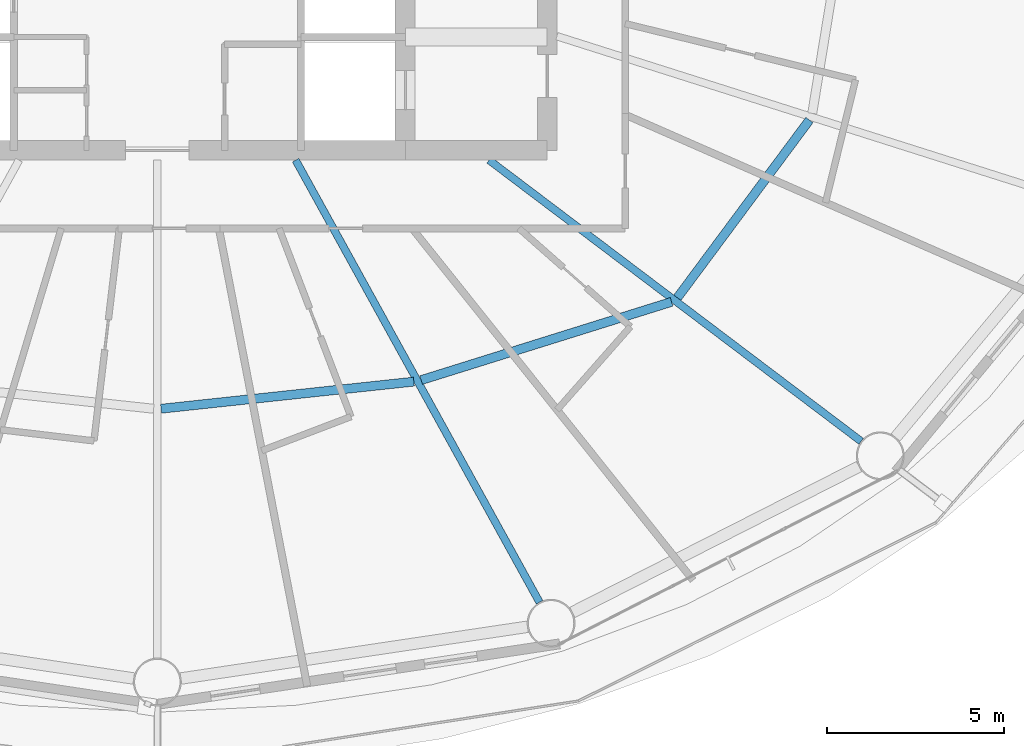
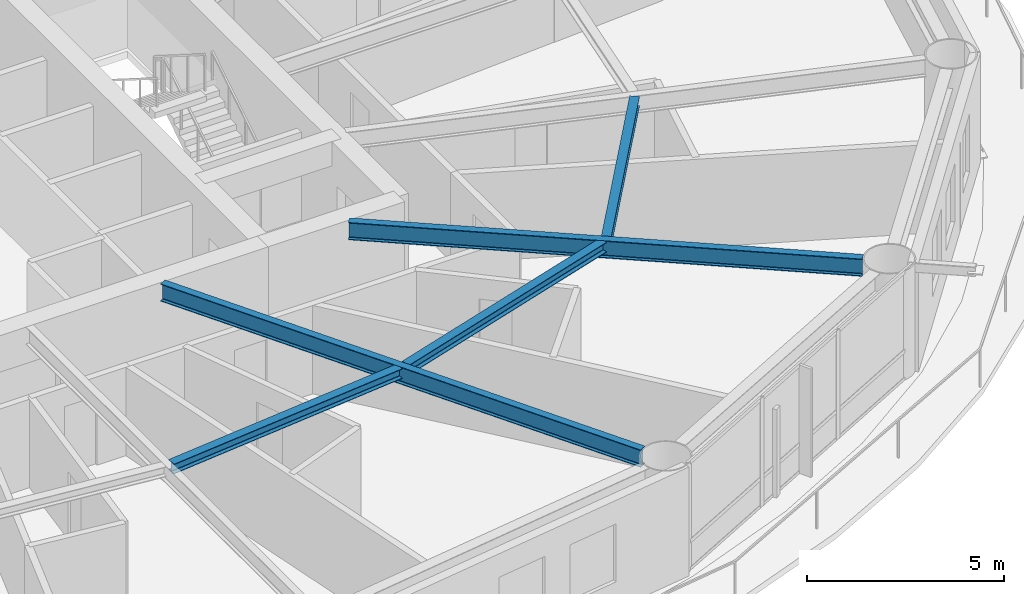
# One storey, part 5 of 24: 5 beams.
"""IFC4 building model written with IfcOpenShell, lengths in metres."""

import ifcopenshell
import ifcopenshell.guid

model = None  # the IFC model being written
_history = None  # IfcOwnerHistory: only IFC2X3 demands one
_inside = {}  # id of a spatial element -> (the spatial element, [elements in it])
_under = {}  # id of a project, library or spatial element -> (it, [spatial elements below it])
_declared = {}  # id of a project -> (the project, [libraries it declares])
_typed = {}  # id of a type object -> (the type object, [elements of that type])
_made_of = {}  # id of a material, layer set ... -> (it, [elements and type objects made of it])


def new_model(schema):
    """Start an empty IFC model of exactly this schema.

    Asked for "IFC4X3", IfcOpenShell would pick the latest addendum, in which some entities
    have other attributes; the version numbers below select the first issue.
    IFC2X3 requires an IfcOwnerHistory on every rooted entity: one is made here for all.
    """
    global model, _history
    if schema == "IFC4X3":
        model = ifcopenshell.file(schema_version=(4, 3, 0, 0))
    else:
        model = ifcopenshell.file(schema=schema)
    _inside.clear()
    _under.clear()
    _declared.clear()
    _typed.clear()
    _made_of.clear()
    _history = None
    if model.schema == "IFC2X3":
        org = make("IfcOrganization", Name="unknown")
        user = make(
            "IfcPersonAndOrganization",
            ThePerson=make("IfcPerson", FamilyName="unknown"),
            TheOrganization=org,
        )
        app = make(
            "IfcApplication",
            ApplicationDeveloper=org,
            Version="unknown",
            ApplicationFullName="unknown",
            ApplicationIdentifier="unknown",
        )
        _history = make(
            "IfcOwnerHistory",
            OwningUser=user,
            OwningApplication=app,
            ChangeAction="ADDED",
            CreationDate=0,
        )
    return model


def make(cls, **values):
    """One entity of the class cls with the attributes given. An attribute that is None is left unset."""
    return model.create_entity(
        cls, **{name: value for name, value in values.items() if value is not None}
    )


def rooted(cls, **values):
    """An entity with a GlobalId (a new one), such as an element, a storey or a relation."""
    return make(cls, GlobalId=ifcopenshell.guid.new(), OwnerHistory=_history, **values)


def si_unit(unit_type, name, prefix=None):
    """IfcSIUnit, for example si_unit("LENGTHUNIT", "METRE", prefix="MILLI")."""
    return make("IfcSIUnit", UnitType=unit_type, Prefix=prefix, Name=name)


def assignment(units):
    """IfcUnitAssignment: the units of a project."""
    return None if units is None else make("IfcUnitAssignment", Units=units)


def point(xyz):
    """IfcCartesianPoint."""
    return None if xyz is None else make("IfcCartesianPoint", Coordinates=xyz)


def direction(xyz):
    """IfcDirection."""
    return None if xyz is None else make("IfcDirection", DirectionRatios=xyz)


def frame(location, z_axis=None, x_axis=None):
    """IfcAxis2Placement3D, a coordinate frame: its origin and axes. An axis left out is left unset."""
    return make(
        "IfcAxis2Placement3D",
        Location=point(location),
        Axis=direction(z_axis),
        RefDirection=direction(x_axis),
    )


def frame_2d(location, x_axis=None):
    """IfcAxis2Placement2D, a coordinate frame in the plane: its origin and x axis."""
    return make(
        "IfcAxis2Placement2D", Location=point(location), RefDirection=direction(x_axis)
    )


def origin():
    """The frame at (0, 0, 0) with its axes left unset."""
    return frame((0.0, 0.0, 0.0))


def origin_2d():
    """The frame at (0, 0) in the plane with its x axis left unset."""
    return frame_2d((0.0, 0.0))


def place(relative_to, where):
    """IfcLocalPlacement: puts the frame where relative to a parent placement (None: the world)."""
    return make(
        "IfcLocalPlacement", PlacementRelTo=relative_to, RelativePlacement=where
    )


def context(
    kind, dimensions, precision=None, world=None, true_north=None, identifier=None
):
    """IfcGeometricRepresentationContext, for example the 3D "Model" context."""
    return make(
        "IfcGeometricRepresentationContext",
        ContextIdentifier=identifier,
        ContextType=kind,
        CoordinateSpaceDimension=dimensions,
        Precision=precision,
        WorldCoordinateSystem=world,
        TrueNorth=true_north,
    )


def subcontext(parent, identifier, kind, view, scale=None):
    """IfcGeometricRepresentationSubContext, for example "Body" below "Model"."""
    return make(
        "IfcGeometricRepresentationSubContext",
        ContextIdentifier=identifier,
        ContextType=kind,
        ParentContext=parent,
        TargetScale=scale,
        TargetView=view,
    )


def project(units=None, contexts=None):
    """IfcProject with its units and contexts."""
    return rooted(
        "IfcProject",
        Name="project",
        RepresentationContexts=contexts,
        UnitsInContext=assignment(units),
    )


def spatial(cls, under=None, at=None, **own):
    """A site, building, storey or space (cls), placed at a placement, below another one or the project."""
    s = rooted(cls, ObjectPlacement=at, **own)
    if under is not None:
        _under.setdefault(under.id(), (under, []))[1].append(s)
    return s


def profile(cls, at=None, kind="AREA", **sizes):
    """A parametric profile (cls). Its sizes go by their IFC names, for example OverallWidth=200.0."""
    return make(cls, ProfileType=kind, Position=at, **sizes)


def i_section(**sizes):
    """IfcIShapeProfileDef."""
    return profile("IfcIShapeProfileDef", **sizes)


def extrude(swept, where, along, depth):
    """IfcExtrudedAreaSolid: the profile swept, set in the frame where, extruded along a direction by depth."""
    return make(
        "IfcExtrudedAreaSolid",
        SweptArea=swept,
        Position=where,
        ExtrudedDirection=direction(along),
        Depth=depth,
    )


def shape(context_of_items, identifier, shape_type, items):
    """IfcShapeRepresentation: the items that make up one representation, for example the "Body"."""
    return make(
        "IfcShapeRepresentation",
        ContextOfItems=context_of_items,
        RepresentationIdentifier=identifier,
        RepresentationType=shape_type,
        Items=items,
    )


def material(Name=None, Category=None):
    """IfcMaterial."""
    return make("IfcMaterial", Name=Name, Category=Category)


def material_profile(
    of_material, cross_section, Name=None, Category=None, Priority=None
):
    """IfcMaterialProfile: a cross section and its material."""
    return make(
        "IfcMaterialProfile",
        Name=Name,
        Material=of_material,
        Profile=cross_section,
        Priority=Priority,
        Category=Category,
    )


def profile_set(profiles, Name=None, composite=None):
    """IfcMaterialProfileSet."""
    return make(
        "IfcMaterialProfileSet",
        Name=Name,
        MaterialProfiles=profiles,
        CompositeProfile=composite,
    )


def made_of(thing, what):
    """Note that an element or type object is made of a material, layer set ...; save() writes the relation."""
    if what is not None:
        _made_of.setdefault(what.id(), (what, []))[1].append(thing)
    return thing


def type_object(cls, material=None, **own):
    """A type object (cls), such as IfcWallType, which elements share."""
    return made_of(rooted(cls, **own), material)


def element(
    cls,
    number,
    at=None,
    inside=None,
    cuts=None,
    type_object=None,
    material=None,
    context=None,
    identifier="Body",
    shape_type=None,
    held_by="IfcProductDefinitionShape",
    body=None,
    shapes=None,
    **own,
):
    """One element of the class cls, such as IfcWall. Its Tag is "e" and its number.

    at: its placement. inside: the storey or other place that contains it. cuts: it is an
    opening in that element (IfcRelVoidsElement). A single representation is given by context,
    identifier, shape_type and body (its items); several are given by shapes. held_by: the class
    of the entity that holds the representations. save() writes the other relations.
    """
    e = rooted(cls, Tag="e%d" % number, ObjectPlacement=at, **own)
    if body is not None:
        shapes = [shape(context, identifier, shape_type, body)]
    if shapes is not None:
        e.Representation = make(held_by, Representations=shapes)
    if inside is not None:
        _inside.setdefault(inside.id(), (inside, []))[1].append(e)
    if cuts is not None:
        rooted(
            "IfcRelVoidsElement", RelatingBuildingElement=cuts, RelatedOpeningElement=e
        )
    if type_object is not None:
        _typed.setdefault(type_object.id(), (type_object, []))[1].append(e)
    return made_of(e, material)


def aggregate(whole, parts):
    """IfcRelAggregates: a whole, such as a stair, and the parts it consists of."""
    return rooted("IfcRelAggregates", RelatingObject=whole, RelatedObjects=parts)


def save(model, path):
    """Write the relations noted so far, then the file.

    IfcRelAggregates (storeys below a building ...), IfcRelContainedInSpatialStructure (elements
    in a storey), IfcRelDefinesByType, IfcRelAssociatesMaterial and IfcRelDeclares: one each for
    every whole, place, type object, material and project.
    """
    for whole, parts in _under.values():
        aggregate(whole, parts)
    for where, things in _inside.values():
        rooted(
            "IfcRelContainedInSpatialStructure",
            RelatedElements=things,
            RelatingStructure=where,
        )
    for kind, things in _typed.values():
        rooted("IfcRelDefinesByType", RelatedObjects=things, RelatingType=kind)
    for what, things in _made_of.values():
        rooted("IfcRelAssociatesMaterial", RelatedObjects=things, RelatingMaterial=what)
    for by, libraries in _declared.values():
        rooted("IfcRelDeclares", RelatingContext=by, RelatedDefinitions=libraries)
    model.write(path)


model = new_model("IFC4")

# Units and contexts
model_context = context("Model", 3, precision=1e-05, world=origin(), true_north=direction((0.0, 1.0)))
body_context = subcontext(model_context, "Body", "Model", "MODEL_VIEW")
ifc_project = project(units=[si_unit("LENGTHUNIT", "METRE"), si_unit("AREAUNIT", "SQUARE_METRE"), si_unit("VOLUMEUNIT", "CUBIC_METRE"), si_unit("PLANEANGLEUNIT", "RADIAN"), si_unit("MASSUNIT", "GRAM", prefix="KILO")], contexts=[model_context])

# Site, building, storey
site_placement = place(None, origin())
site = spatial("IfcSite", under=ifc_project, at=site_placement, CompositionType="ELEMENT")
building_placement = place(site_placement, origin())
building = spatial("IfcBuilding", under=site, at=building_placement, Name="Sarneth Arch Tower", CompositionType="ELEMENT")
storey_placement = place(building_placement, frame((0.0, 0.0, 91.199951171875)))
storey = spatial("IfcBuildingStorey", under=building, at=storey_placement, Name="L22", CompositionType="ELEMENT", Elevation=91.199951171875)

# Beams
ifc_material_1 = material(Name="Steel S355", Category="steel")
ifc_material_profile_1 = material_profile(ifc_material_1, i_section(OverallWidth=0.25390625, OverallDepth=0.305908203125, WebThickness=0.0087890625, FlangeThickness=0.0146484375, FilletRadius=0.014892578125, at=origin_2d()), Name="W310x79")
ifc_profile_set_1 = profile_set([ifc_material_profile_1], Name="Steel S355")
beam_type_1 = type_object("IfcBeamType", Name="BM-JOIST-310A", PredefinedType="JOIST", material=ifc_profile_set_1)
beam_1_placement = place(storey_placement, frame((48.10498046875, 27.9111328125, 3.22705078125), z_axis=(0.99429330851, 0.106680910441, 0.0), x_axis=(-0.106680910441, 0.99429330851, 0.0)))
element("IfcBeam", 1, at=beam_1_placement, inside=storey, type_object=beam_type_1, Name="L22 Secondary floor joist 13", PredefinedType="JOIST", context=body_context, shape_type="SweptSolid", body=[
    extrude(i_section(OverallWidth=0.25390625, OverallDepth=0.305908203125, WebThickness=0.0087890625, FlangeThickness=0.0146484375, FilletRadius=0.014892578125, at=origin_2d()), origin(), (0.0, 0.0, 1.0), 7.174560546875),
])
beam_2_placement = place(storey_placement, frame((55.4443359375, 28.71923828125, 3.22705078125), z_axis=(0.9544870201, 0.298252457594, 0.0), x_axis=(-0.298252457594, 0.9544870201, 0.0)))
element("IfcBeam", 2, at=beam_2_placement, inside=storey, type_object=beam_type_1, Name="L22 Secondary floor joist 14", PredefinedType="JOIST", context=body_context, shape_type="SweptSolid", body=[
    extrude(i_section(OverallWidth=0.25390625, OverallDepth=0.305908203125, WebThickness=0.0087890625, FlangeThickness=0.0146484375, FilletRadius=0.014892578125, at=origin_2d()), origin(), (0.0, 0.0, 1.0), 7.40234375),
])
beam_3_placement = place(storey_placement, frame((62.67333984375, 31.043212890625, 3.22705078125), z_axis=(0.596354224217, 0.80272139579, 0.0), x_axis=(-0.80272139579, 0.596354224217, 0.0)))
element("IfcBeam", 3, at=beam_3_placement, inside=storey, type_object=beam_type_1, Name="L22 Secondary floor joist 15", PredefinedType="JOIST", context=body_context, shape_type="SweptSolid", body=[
    extrude(i_section(OverallWidth=0.25390625, OverallDepth=0.305908203125, WebThickness=0.0087890625, FlangeThickness=0.0146484375, FilletRadius=0.014892578125, at=origin_2d()), origin(), (0.0, 0.0, 1.0), 6.246337890625),
])
ifc_material_2 = material(Name="Steel S355", Category="steel")
ifc_material_profile_2 = material_profile(ifc_material_2, i_section(OverallWidth=0.2109375, OverallDepth=0.5390625, WebThickness=0.01171875, FlangeThickness=0.018798828125, FilletRadius=0.01806640625, at=origin_2d()), Name="W530x109")
ifc_profile_set_2 = profile_set([ifc_material_profile_2], Name="Steel S355")
beam_type_2 = type_object("IfcBeamType", Name="BM-RAD-530B", PredefinedType="BEAM", material=ifc_profile_set_2)
beam_4_placement = place(storey_placement, frame((51.90283203125, 34.925048828125, 3.110595703125), z_axis=(0.48301301286, -0.875613173387, 0.0), x_axis=(0.875613173387, 0.48301301286, 0.0)))
element("IfcBeam", 4, at=beam_4_placement, inside=storey, type_object=beam_type_2, Name="L22 Radial floor girder 14", PredefinedType="BEAM", context=body_context, shape_type="SweptSolid", body=[
    extrude(i_section(OverallWidth=0.2109375, OverallDepth=0.5390625, WebThickness=0.01171875, FlangeThickness=0.018798828125, FilletRadius=0.01806640625, at=origin_2d()), origin(), (0.0, 0.0, 1.0), 14.246826171875),
])
beam_5_placement = place(storey_placement, frame((57.36181640625, 34.925048828125, 3.110595703125), z_axis=(0.797801476102, -0.602920230818, 0.0), x_axis=(0.602920230818, 0.797801476102, 0.0)))
element("IfcBeam", 5, at=beam_5_placement, inside=storey, type_object=beam_type_2, Name="L22 Radial floor girder 15", PredefinedType="BEAM", context=body_context, shape_type="SweptSolid", body=[
    extrude(i_section(OverallWidth=0.2109375, OverallDepth=0.5390625, WebThickness=0.01171875, FlangeThickness=0.018798828125, FilletRadius=0.01806640625, at=origin_2d()), origin(), (0.0, 0.0, 1.0), 13.15771484375),
])

save(model, "model.ifc")
